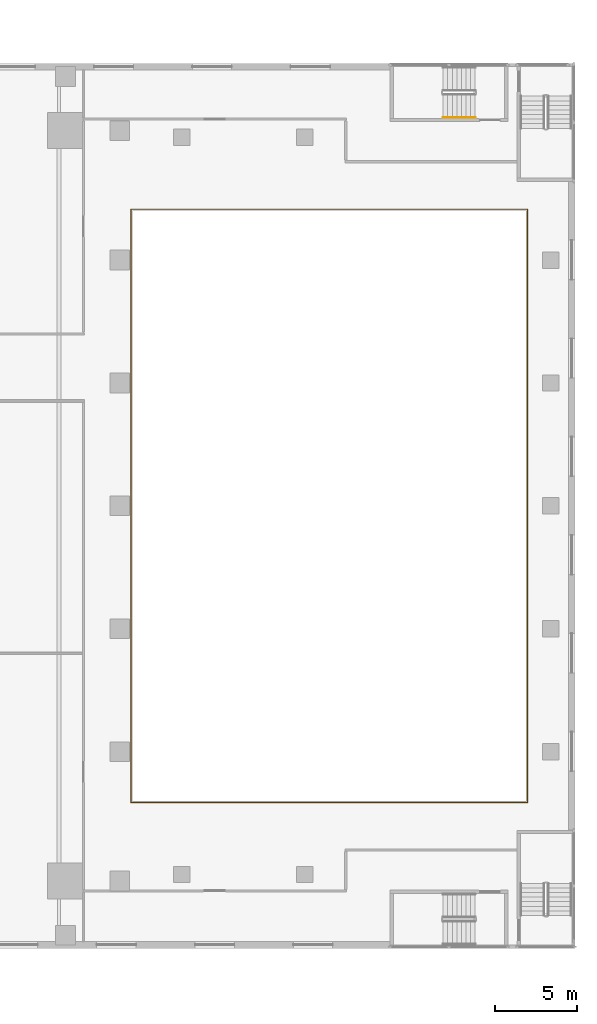
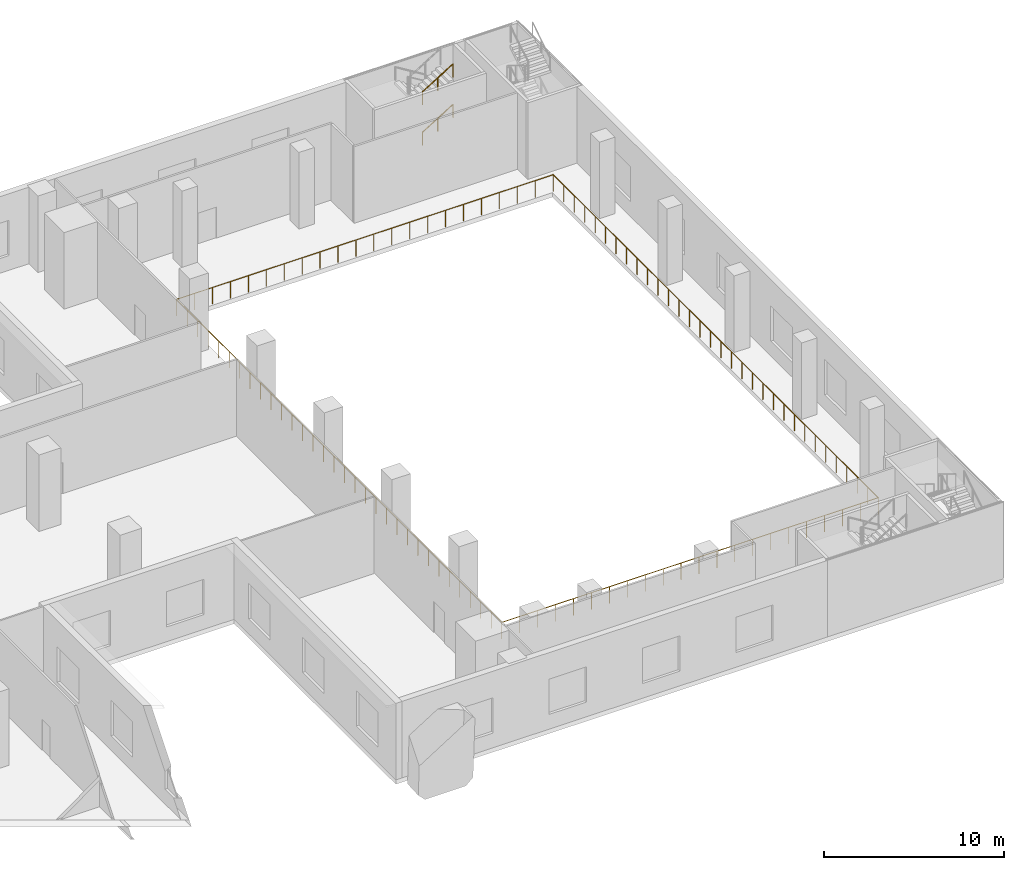
# One storey, part 22 of 23: 3 railings.
"""IFC4 building model written with IfcOpenShell, lengths in metres."""

from ifc_helpers import new_model, si_unit, direction, frame, origin, origin_2d, place, context, subcontext, project, spatial, circle, extrude, source, transform, mapped, material, type_object, element, save


model = new_model("IFC4")

# Units and contexts
model_context = context("Model", 3, precision=1e-05, world=origin(), true_north=direction((0.0, 1.0)))
body_context = subcontext(model_context, "Body", "Model", "MODEL_VIEW")
ifc_project = project(units=[si_unit("LENGTHUNIT", "METRE"), si_unit("AREAUNIT", "SQUARE_METRE"), si_unit("VOLUMEUNIT", "CUBIC_METRE"), si_unit("PLANEANGLEUNIT", "RADIAN"), si_unit("MASSUNIT", "GRAM", prefix="KILO")], contexts=[model_context])

# Site, building, storey
site_placement = place(None, origin())
site = spatial("IfcSite", under=ifc_project, at=site_placement, CompositionType="ELEMENT")
building_placement = place(site_placement, origin())
building = spatial("IfcBuilding", under=site, at=building_placement, Name="Khomas Fold Tower", CompositionType="ELEMENT")
storey_placement = place(building_placement, frame((0.0, 0.0, 13.0)))
storey = spatial("IfcBuildingStorey", under=building, at=storey_placement, Name="L02", CompositionType="ELEMENT", Elevation=13.0)

# Railings
ifc_material_1 = material(Name="Powder-coated steel", Category="steel")
railing_type_1 = type_object("IfcRailingType", Name="Balcony guard", PredefinedType="GUARDRAIL", material=ifc_material_1)
shared_shape_1 = source(origin(), body_context, "Body", "SweptSolid", [
    extrude(circle(Radius=0.02490234375, at=origin_2d()), frame((-0.02490234375, 0.0, 1.125), z_axis=(1.0, 0.0, 0.0), x_axis=(0.0, 1.0, 0.0)), (0.0, 0.0, 1.0), 24.250244140625),
    extrude(circle(Radius=0.02490234375, at=origin_2d()), frame((24.2001953125, -0.02490234375, 1.125), z_axis=(0.0, 1.0, 0.0), x_axis=(-1.0, 0.0, 0.0)), (0.0, 0.0, 1.0), 36.250244140625),
    extrude(circle(Radius=0.02490234375, at=origin_2d()), frame((24.22509765625, 36.2001953125, 1.125), z_axis=(-1.0, 0.0, 0.0), x_axis=(0.0, -1.0, 0.0)), (0.0, 0.0, 1.0), 24.250244140625),
    extrude(circle(Radius=0.02490234375, at=origin_2d()), frame((0.0, 36.22509765625, 1.125), z_axis=(0.0, -1.0, 0.0), x_axis=(1.0, 0.0, 0.0)), (0.0, 0.0, 1.0), 36.250244140625),
    extrude(circle(Radius=0.02001953125, at=origin_2d()), origin(), (0.0, 0.0, 1.0), 1.099853515625),
    extrude(circle(Radius=0.02001953125, at=origin_2d()), frame((1.15234375, 0.0, 0.0)), (0.0, 0.0, 1.0), 1.099853515625),
    extrude(circle(Radius=0.02001953125, at=origin_2d()), frame((2.3046875, 0.0, 0.0)), (0.0, 0.0, 1.0), 1.099853515625),
    extrude(circle(Radius=0.02001953125, at=origin_2d()), frame((3.457275390625, 0.0, 0.0)), (0.0, 0.0, 1.0), 1.099853515625),
    extrude(circle(Radius=0.02001953125, at=origin_2d()), frame((4.609619140625, 0.0, 0.0)), (0.0, 0.0, 1.0), 1.099853515625),
    extrude(circle(Radius=0.02001953125, at=origin_2d()), frame((5.761962890625, 0.0, 0.0)), (0.0, 0.0, 1.0), 1.099853515625),
    extrude(circle(Radius=0.02001953125, at=origin_2d()), frame((6.914306640625, 0.0, 0.0)), (0.0, 0.0, 1.0), 1.099853515625),
    extrude(circle(Radius=0.02001953125, at=origin_2d()), frame((8.066650390625, 0.0, 0.0)), (0.0, 0.0, 1.0), 1.099853515625),
    extrude(circle(Radius=0.02001953125, at=origin_2d()), frame((9.21923828125, 0.0, 0.0)), (0.0, 0.0, 1.0), 1.099853515625),
    extrude(circle(Radius=0.02001953125, at=origin_2d()), frame((10.37158203125, 0.0, 0.0)), (0.0, 0.0, 1.0), 1.099853515625),
    extrude(circle(Radius=0.02001953125, at=origin_2d()), frame((11.52392578125, 0.0, 0.0)), (0.0, 0.0, 1.0), 1.099853515625),
    extrude(circle(Radius=0.02001953125, at=origin_2d()), frame((12.67626953125, 0.0, 0.0)), (0.0, 0.0, 1.0), 1.099853515625),
    extrude(circle(Radius=0.02001953125, at=origin_2d()), frame((13.82861328125, 0.0, 0.0)), (0.0, 0.0, 1.0), 1.099853515625),
    extrude(circle(Radius=0.02001953125, at=origin_2d()), frame((14.98095703125, 0.0, 0.0)), (0.0, 0.0, 1.0), 1.099853515625),
    extrude(circle(Radius=0.02001953125, at=origin_2d()), frame((16.133544921875, 0.0, 0.0)), (0.0, 0.0, 1.0), 1.099853515625),
    extrude(circle(Radius=0.02001953125, at=origin_2d()), frame((17.285888671875, 0.0, 0.0)), (0.0, 0.0, 1.0), 1.099853515625),
    extrude(circle(Radius=0.02001953125, at=origin_2d()), frame((18.438232421875, 0.0, 0.0)), (0.0, 0.0, 1.0), 1.099853515625),
    extrude(circle(Radius=0.02001953125, at=origin_2d()), frame((19.590576171875, 0.0, 0.0)), (0.0, 0.0, 1.0), 1.099853515625),
    extrude(circle(Radius=0.02001953125, at=origin_2d()), frame((20.742919921875, 0.0, 0.0)), (0.0, 0.0, 1.0), 1.099853515625),
    extrude(circle(Radius=0.02001953125, at=origin_2d()), frame((21.8955078125, 0.0, 0.0)), (0.0, 0.0, 1.0), 1.099853515625),
    extrude(circle(Radius=0.02001953125, at=origin_2d()), frame((23.0478515625, 0.0, 0.0)), (0.0, 0.0, 1.0), 1.099853515625),
    extrude(circle(Radius=0.02001953125, at=origin_2d()), frame((24.2001953125, 0.0, 0.0)), (0.0, 0.0, 1.0), 1.099853515625),
    extrude(circle(Radius=0.02001953125, at=origin_2d()), frame((24.2001953125, 1.167724609375, 0.0)), (0.0, 0.0, 1.0), 1.099853515625),
    extrude(circle(Radius=0.02001953125, at=origin_2d()), frame((24.2001953125, 2.33544921875, 0.0)), (0.0, 0.0, 1.0), 1.099853515625),
    extrude(circle(Radius=0.02001953125, at=origin_2d()), frame((24.2001953125, 3.503173828125, 0.0)), (0.0, 0.0, 1.0), 1.099853515625),
    extrude(circle(Radius=0.02001953125, at=origin_2d()), frame((24.2001953125, 4.6708984375, 0.0)), (0.0, 0.0, 1.0), 1.099853515625),
    extrude(circle(Radius=0.02001953125, at=origin_2d()), frame((24.2001953125, 5.838623046875, 0.0)), (0.0, 0.0, 1.0), 1.099853515625),
    extrude(circle(Radius=0.02001953125, at=origin_2d()), frame((24.2001953125, 7.006591796875, 0.0)), (0.0, 0.0, 1.0), 1.099853515625),
    extrude(circle(Radius=0.02001953125, at=origin_2d()), frame((24.2001953125, 8.17431640625, 0.0)), (0.0, 0.0, 1.0), 1.099853515625),
    extrude(circle(Radius=0.02001953125, at=origin_2d()), frame((24.2001953125, 9.342041015625, 0.0)), (0.0, 0.0, 1.0), 1.099853515625),
    extrude(circle(Radius=0.02001953125, at=origin_2d()), frame((24.2001953125, 10.509765625, 0.0)), (0.0, 0.0, 1.0), 1.099853515625),
    extrude(circle(Radius=0.02001953125, at=origin_2d()), frame((24.2001953125, 11.677490234375, 0.0)), (0.0, 0.0, 1.0), 1.099853515625),
    extrude(circle(Radius=0.02001953125, at=origin_2d()), frame((24.2001953125, 12.84521484375, 0.0)), (0.0, 0.0, 1.0), 1.099853515625),
    extrude(circle(Radius=0.02001953125, at=origin_2d()), frame((24.2001953125, 14.012939453125, 0.0)), (0.0, 0.0, 1.0), 1.099853515625),
    extrude(circle(Radius=0.02001953125, at=origin_2d()), frame((24.2001953125, 15.1806640625, 0.0)), (0.0, 0.0, 1.0), 1.099853515625),
    extrude(circle(Radius=0.02001953125, at=origin_2d()), frame((24.2001953125, 16.348388671875, 0.0)), (0.0, 0.0, 1.0), 1.099853515625),
    extrude(circle(Radius=0.02001953125, at=origin_2d()), frame((24.2001953125, 17.51611328125, 0.0)), (0.0, 0.0, 1.0), 1.099853515625),
    extrude(circle(Radius=0.02001953125, at=origin_2d()), frame((24.2001953125, 18.68408203125, 0.0)), (0.0, 0.0, 1.0), 1.099853515625),
    extrude(circle(Radius=0.02001953125, at=origin_2d()), frame((24.2001953125, 19.851806640625, 0.0)), (0.0, 0.0, 1.0), 1.099853515625),
    extrude(circle(Radius=0.02001953125, at=origin_2d()), frame((24.2001953125, 21.01953125, 0.0)), (0.0, 0.0, 1.0), 1.099853515625),
    extrude(circle(Radius=0.02001953125, at=origin_2d()), frame((24.2001953125, 22.187255859375, 0.0)), (0.0, 0.0, 1.0), 1.099853515625),
    extrude(circle(Radius=0.02001953125, at=origin_2d()), frame((24.2001953125, 23.35498046875, 0.0)), (0.0, 0.0, 1.0), 1.099853515625),
    extrude(circle(Radius=0.02001953125, at=origin_2d()), frame((24.2001953125, 24.522705078125, 0.0)), (0.0, 0.0, 1.0), 1.099853515625),
    extrude(circle(Radius=0.02001953125, at=origin_2d()), frame((24.2001953125, 25.6904296875, 0.0)), (0.0, 0.0, 1.0), 1.099853515625),
    extrude(circle(Radius=0.02001953125, at=origin_2d()), frame((24.2001953125, 26.858154296875, 0.0)), (0.0, 0.0, 1.0), 1.099853515625),
    extrude(circle(Radius=0.02001953125, at=origin_2d()), frame((24.2001953125, 28.02587890625, 0.0)), (0.0, 0.0, 1.0), 1.099853515625),
    extrude(circle(Radius=0.02001953125, at=origin_2d()), frame((24.2001953125, 29.193603515625, 0.0)), (0.0, 0.0, 1.0), 1.099853515625),
    extrude(circle(Radius=0.02001953125, at=origin_2d()), frame((24.2001953125, 30.361572265625, 0.0)), (0.0, 0.0, 1.0), 1.099853515625),
    extrude(circle(Radius=0.02001953125, at=origin_2d()), frame((24.2001953125, 31.529296875, 0.0)), (0.0, 0.0, 1.0), 1.099853515625),
    extrude(circle(Radius=0.02001953125, at=origin_2d()), frame((24.2001953125, 32.697021484375, 0.0)), (0.0, 0.0, 1.0), 1.099853515625),
    extrude(circle(Radius=0.02001953125, at=origin_2d()), frame((24.2001953125, 33.86474609375, 0.0)), (0.0, 0.0, 1.0), 1.099853515625),
    extrude(circle(Radius=0.02001953125, at=origin_2d()), frame((24.2001953125, 35.032470703125, 0.0)), (0.0, 0.0, 1.0), 1.099853515625),
    extrude(circle(Radius=0.02001953125, at=origin_2d()), frame((24.2001953125, 36.2001953125, 0.0)), (0.0, 0.0, 1.0), 1.099853515625),
    extrude(circle(Radius=0.02001953125, at=origin_2d()), frame((23.0478515625, 36.2001953125, 0.0)), (0.0, 0.0, 1.0), 1.099853515625),
    extrude(circle(Radius=0.02001953125, at=origin_2d()), frame((21.8955078125, 36.2001953125, 0.0)), (0.0, 0.0, 1.0), 1.099853515625),
    extrude(circle(Radius=0.02001953125, at=origin_2d()), frame((20.742919921875, 36.2001953125, 0.0)), (0.0, 0.0, 1.0), 1.099853515625),
    extrude(circle(Radius=0.02001953125, at=origin_2d()), frame((19.590576171875, 36.2001953125, 0.0)), (0.0, 0.0, 1.0), 1.099853515625),
    extrude(circle(Radius=0.02001953125, at=origin_2d()), frame((18.438232421875, 36.2001953125, 0.0)), (0.0, 0.0, 1.0), 1.099853515625),
    extrude(circle(Radius=0.02001953125, at=origin_2d()), frame((17.285888671875, 36.2001953125, 0.0)), (0.0, 0.0, 1.0), 1.099853515625),
    extrude(circle(Radius=0.02001953125, at=origin_2d()), frame((16.133544921875, 36.2001953125, 0.0)), (0.0, 0.0, 1.0), 1.099853515625),
    extrude(circle(Radius=0.02001953125, at=origin_2d()), frame((14.98095703125, 36.2001953125, 0.0)), (0.0, 0.0, 1.0), 1.099853515625),
    extrude(circle(Radius=0.02001953125, at=origin_2d()), frame((13.82861328125, 36.2001953125, 0.0)), (0.0, 0.0, 1.0), 1.099853515625),
    extrude(circle(Radius=0.02001953125, at=origin_2d()), frame((12.67626953125, 36.2001953125, 0.0)), (0.0, 0.0, 1.0), 1.099853515625),
    extrude(circle(Radius=0.02001953125, at=origin_2d()), frame((11.52392578125, 36.2001953125, 0.0)), (0.0, 0.0, 1.0), 1.099853515625),
    extrude(circle(Radius=0.02001953125, at=origin_2d()), frame((10.37158203125, 36.2001953125, 0.0)), (0.0, 0.0, 1.0), 1.099853515625),
    extrude(circle(Radius=0.02001953125, at=origin_2d()), frame((9.21923828125, 36.2001953125, 0.0)), (0.0, 0.0, 1.0), 1.099853515625),
    extrude(circle(Radius=0.02001953125, at=origin_2d()), frame((8.066650390625, 36.2001953125, 0.0)), (0.0, 0.0, 1.0), 1.099853515625),
    extrude(circle(Radius=0.02001953125, at=origin_2d()), frame((6.914306640625, 36.2001953125, 0.0)), (0.0, 0.0, 1.0), 1.099853515625),
    extrude(circle(Radius=0.02001953125, at=origin_2d()), frame((5.761962890625, 36.2001953125, 0.0)), (0.0, 0.0, 1.0), 1.099853515625),
    extrude(circle(Radius=0.02001953125, at=origin_2d()), frame((4.609619140625, 36.2001953125, 0.0)), (0.0, 0.0, 1.0), 1.099853515625),
    extrude(circle(Radius=0.02001953125, at=origin_2d()), frame((3.457275390625, 36.2001953125, 0.0)), (0.0, 0.0, 1.0), 1.099853515625),
    extrude(circle(Radius=0.02001953125, at=origin_2d()), frame((2.3046875, 36.2001953125, 0.0)), (0.0, 0.0, 1.0), 1.099853515625),
    extrude(circle(Radius=0.02001953125, at=origin_2d()), frame((1.15234375, 36.2001953125, 0.0)), (0.0, 0.0, 1.0), 1.099853515625),
    extrude(circle(Radius=0.02001953125, at=origin_2d()), frame((0.0, 36.2001953125, 0.0)), (0.0, 0.0, 1.0), 1.099853515625),
    extrude(circle(Radius=0.02001953125, at=origin_2d()), frame((0.0, 35.032470703125, 0.0)), (0.0, 0.0, 1.0), 1.099853515625),
    extrude(circle(Radius=0.02001953125, at=origin_2d()), frame((0.0, 33.86474609375, 0.0)), (0.0, 0.0, 1.0), 1.099853515625),
    extrude(circle(Radius=0.02001953125, at=origin_2d()), frame((0.0, 32.697021484375, 0.0)), (0.0, 0.0, 1.0), 1.099853515625),
    extrude(circle(Radius=0.02001953125, at=origin_2d()), frame((0.0, 31.529296875, 0.0)), (0.0, 0.0, 1.0), 1.099853515625),
    extrude(circle(Radius=0.02001953125, at=origin_2d()), frame((0.0, 30.361572265625, 0.0)), (0.0, 0.0, 1.0), 1.099853515625),
    extrude(circle(Radius=0.02001953125, at=origin_2d()), frame((0.0, 29.193603515625, 0.0)), (0.0, 0.0, 1.0), 1.099853515625),
    extrude(circle(Radius=0.02001953125, at=origin_2d()), frame((0.0, 28.02587890625, 0.0)), (0.0, 0.0, 1.0), 1.099853515625),
    extrude(circle(Radius=0.02001953125, at=origin_2d()), frame((0.0, 26.858154296875, 0.0)), (0.0, 0.0, 1.0), 1.099853515625),
    extrude(circle(Radius=0.02001953125, at=origin_2d()), frame((0.0, 25.6904296875, 0.0)), (0.0, 0.0, 1.0), 1.099853515625),
    extrude(circle(Radius=0.02001953125, at=origin_2d()), frame((0.0, 24.522705078125, 0.0)), (0.0, 0.0, 1.0), 1.099853515625),
    extrude(circle(Radius=0.02001953125, at=origin_2d()), frame((0.0, 23.35498046875, 0.0)), (0.0, 0.0, 1.0), 1.099853515625),
    extrude(circle(Radius=0.02001953125, at=origin_2d()), frame((0.0, 22.187255859375, 0.0)), (0.0, 0.0, 1.0), 1.099853515625),
    extrude(circle(Radius=0.02001953125, at=origin_2d()), frame((0.0, 21.01953125, 0.0)), (0.0, 0.0, 1.0), 1.099853515625),
    extrude(circle(Radius=0.02001953125, at=origin_2d()), frame((0.0, 19.851806640625, 0.0)), (0.0, 0.0, 1.0), 1.099853515625),
    extrude(circle(Radius=0.02001953125, at=origin_2d()), frame((0.0, 18.68408203125, 0.0)), (0.0, 0.0, 1.0), 1.099853515625),
    extrude(circle(Radius=0.02001953125, at=origin_2d()), frame((0.0, 17.51611328125, 0.0)), (0.0, 0.0, 1.0), 1.099853515625),
    extrude(circle(Radius=0.02001953125, at=origin_2d()), frame((0.0, 16.348388671875, 0.0)), (0.0, 0.0, 1.0), 1.099853515625),
    extrude(circle(Radius=0.02001953125, at=origin_2d()), frame((0.0, 15.1806640625, 0.0)), (0.0, 0.0, 1.0), 1.099853515625),
    extrude(circle(Radius=0.02001953125, at=origin_2d()), frame((0.0, 14.012939453125, 0.0)), (0.0, 0.0, 1.0), 1.099853515625),
    extrude(circle(Radius=0.02001953125, at=origin_2d()), frame((0.0, 12.84521484375, 0.0)), (0.0, 0.0, 1.0), 1.099853515625),
    extrude(circle(Radius=0.02001953125, at=origin_2d()), frame((0.0, 11.677490234375, 0.0)), (0.0, 0.0, 1.0), 1.099853515625),
    extrude(circle(Radius=0.02001953125, at=origin_2d()), frame((0.0, 10.509765625, 0.0)), (0.0, 0.0, 1.0), 1.099853515625),
    extrude(circle(Radius=0.02001953125, at=origin_2d()), frame((0.0, 9.342041015625, 0.0)), (0.0, 0.0, 1.0), 1.099853515625),
    extrude(circle(Radius=0.02001953125, at=origin_2d()), frame((0.0, 8.17431640625, 0.0)), (0.0, 0.0, 1.0), 1.099853515625),
    extrude(circle(Radius=0.02001953125, at=origin_2d()), frame((0.0, 7.006591796875, 0.0)), (0.0, 0.0, 1.0), 1.099853515625),
    extrude(circle(Radius=0.02001953125, at=origin_2d()), frame((0.0, 5.838623046875, 0.0)), (0.0, 0.0, 1.0), 1.099853515625),
    extrude(circle(Radius=0.02001953125, at=origin_2d()), frame((0.0, 4.6708984375, 0.0)), (0.0, 0.0, 1.0), 1.099853515625),
    extrude(circle(Radius=0.02001953125, at=origin_2d()), frame((0.0, 3.503173828125, 0.0)), (0.0, 0.0, 1.0), 1.099853515625),
    extrude(circle(Radius=0.02001953125, at=origin_2d()), frame((0.0, 2.33544921875, 0.0)), (0.0, 0.0, 1.0), 1.099853515625),
    extrude(circle(Radius=0.02001953125, at=origin_2d()), frame((0.0, 1.167724609375, 0.0)), (0.0, 0.0, 1.0), 1.099853515625),
])
railing_placement = place(storey_placement, frame((53.89990234375, 8.89990234375, 0.0)))
element("IfcRailing", 1, at=railing_placement, inside=storey, type_object=railing_type_1, Name="GUARD 202", PredefinedType="GUARDRAIL", context=body_context, shape_type="MappedRepresentation", body=[
    mapped(shared_shape_1, transform((0.0, 0.0, 0.0))),
])
ifc_material_2 = material(Name="Steel handrail", Category="steel")
railing_type_2 = type_object("IfcRailingType", Name="Stair handrail", PredefinedType="HANDRAIL", material=ifc_material_2)
shared_shape_2 = source(origin(), body_context, "Body", "SweptSolid", [
    extrude(circle(Radius=0.02392578125, at=origin_2d()), frame((0.0, 0.0, 0.8759765625), z_axis=(0.852240978134, 0.0, 0.523149419562), x_axis=(0.0, 1.0, 0.0)), (0.0, 0.0, 1.0), 2.2998046875),
    extrude(circle(Radius=0.02099609375, at=origin_2d()), origin(), (0.0, 0.0, 1.0), 0.851806640625),
    extrude(circle(Radius=0.02099609375, at=origin_2d()), frame((0.97998046875, 0.0, 0.6015625)), (0.0, 0.0, 1.0), 0.851806640625),
    extrude(circle(Radius=0.02099609375, at=origin_2d()), frame((1.9599609375, 0.0, 1.203125)), (0.0, 0.0, 1.0), 0.851806640625),
])
for number, where, name in (
    (2, (72.93994140625, 50.699951171875, 1.546875), "L02 PS5 stair handrail 2"),
    (3, (72.93994140625, 50.699951171875, 4.296875), "L02 PS5 stair handrail 4"),
):
    element("IfcRailing", number, at=place(storey_placement, frame(where)), inside=storey, type_object=railing_type_2, Name=name, PredefinedType="HANDRAIL", context=body_context, shape_type="MappedRepresentation", body=[
        mapped(shared_shape_2, transform((0.0, 0.0, 0.0))),
    ])

save(model, "model.ifc")
